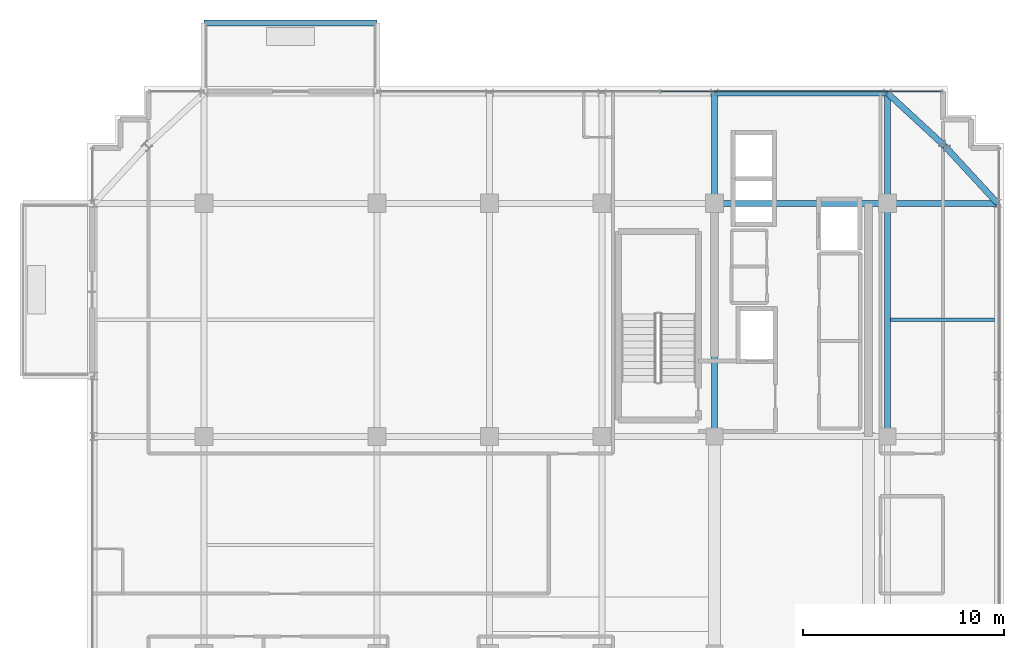
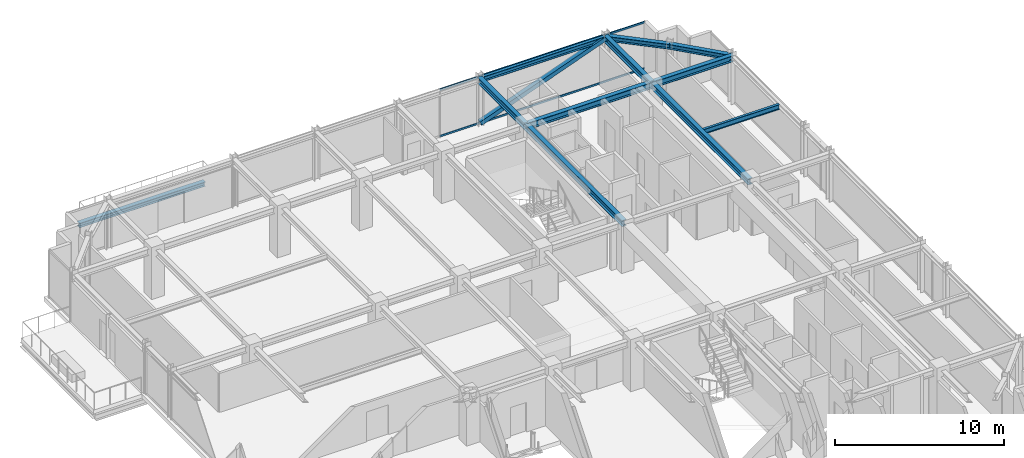
# One storey, part 24 of 34: 11 beams, 3 members, 1 element without a shape of its own.
"""IFC4 building model written with IfcOpenShell, lengths in metres."""

from ifc_helpers import new_model, si_unit, direction, frame, origin, origin_2d, place, context, subcontext, project, spatial, hollow_rectangle, i_section, extrude, source, transform, mapped, material, material_profile, profile_set, type_object, element, aggregate, save


model = new_model("IFC4")

# Units and contexts
model_context = context("Model", 3, precision=1e-05, world=origin(), true_north=direction((0.0, 1.0)))
body_context = subcontext(model_context, "Body", "Model", "MODEL_VIEW")
ifc_project = project(units=[si_unit("LENGTHUNIT", "METRE"), si_unit("AREAUNIT", "SQUARE_METRE"), si_unit("VOLUMEUNIT", "CUBIC_METRE"), si_unit("PLANEANGLEUNIT", "RADIAN"), si_unit("MASSUNIT", "GRAM", prefix="KILO")], contexts=[model_context])

# Site, building, storey
site_placement = place(None, origin())
site = spatial("IfcSite", under=ifc_project, at=site_placement, CompositionType="ELEMENT")
building_placement = place(site_placement, origin())
building = spatial("IfcBuilding", under=site, at=building_placement, Name="Nahalor Promenade Grand Hotel", CompositionType="ELEMENT")
storey_placement = place(building_placement, frame((0.0, 0.0, 334.75)))
storey = spatial("IfcBuildingStorey", under=building, at=storey_placement, Name="L86", CompositionType="ELEMENT", Elevation=334.75)

# Beams
ifc_material_1 = material(Name="Steel S355JR", Category="steel")
ifc_material_profile_1 = material_profile(ifc_material_1, i_section(OverallWidth=0.3, OverallDepth=0.32, WebThickness=0.0115, FlangeThickness=0.0205, at=origin_2d()), Name="HEB 320")
ifc_profile_set_1 = profile_set([ifc_material_profile_1], Name="Steel S355JR")
beam_type_1 = type_object("IfcBeamType", Name="Beam-BalcEdge-HEB320", PredefinedType="SPANDREL", material=ifc_profile_set_1)
shared_shape_1 = source(origin(), body_context, "Body", "SweptSolid", [
    extrude(i_section(OverallWidth=0.3, OverallDepth=0.32, WebThickness=0.0115, FlangeThickness=0.0205, at=origin_2d()), origin(), (0.0, 0.0, 1.0), 8.60009765625),
])
beam_1_placement = place(storey_placement, frame((-17.0, 25.969970703125, -0.43994140625), z_axis=(1.0, 0.0, 0.0), x_axis=(0.0, 1.0, 0.0)))
element("IfcBeam", 1, at=beam_1_placement, inside=storey, type_object=beam_type_1, Name="BM-L86-BC-01-F", PredefinedType="SPANDREL", context=body_context, shape_type="MappedRepresentation", body=[
    mapped(shared_shape_1, transform((0.0, 0.0, 0.0), scale=1.0)),
])
ifc_material_profile_2 = material_profile(ifc_material_1, i_section(OverallWidth=0.3, OverallDepth=0.45, WebThickness=0.014, FlangeThickness=0.026, at=origin_2d()), Name="HEB 450")
ifc_profile_set_2 = profile_set([ifc_material_profile_2], Name="Steel S355JR")
beam_type_2 = type_object("IfcBeamType", Name="Beam-Girder-HEB450", PredefinedType="BEAM", material=ifc_profile_set_2)
shared_shape_2 = source(origin(), body_context, "Body", "SweptSolid", [
    extrude(i_section(OverallWidth=0.3, OverallDepth=0.45, WebThickness=0.014, FlangeThickness=0.026, at=origin_2d()), origin(), (0.0, 0.0, 1.0), 8.60009765625),
])
beam_2_placement = place(storey_placement, frame((8.39990234375, 17.0, 3.2451171875), z_axis=(1.0, 0.0, 0.0), x_axis=(0.0, 1.0, 0.0)))
element("IfcBeam", 2, at=beam_2_placement, inside=storey, type_object=beam_type_2, Name="BM-L86-GX-3-5", PredefinedType="BEAM", context=body_context, shape_type="MappedRepresentation", body=[
    mapped(shared_shape_2, transform((0.0, 0.0, 0.0), scale=1.0)),
])
shared_shape_3 = source(origin(), body_context, "Body", "SweptSolid", [
    extrude(i_section(OverallWidth=0.3, OverallDepth=0.45, WebThickness=0.014, FlangeThickness=0.026, at=origin_2d()), origin(), (0.0, 0.0, 1.0), 11.60009765625),
])
for number, where, z_axis, x_axis, name in (
    (3, (8.39990234375, 5.39990234375, 3.2451171875), (0.0, 1.0, 0.0), (-1.0, 0.0, 0.0), "BM-L86-GY-4-3"),
    (4, (17.0, 5.39990234375, 3.2451171875), (0.0, 1.0, 0.0), (-1.0, 0.0, 0.0), "BM-L86-GY-5-3"),
):
    element("IfcBeam", number, at=place(storey_placement, frame(where, z_axis=z_axis, x_axis=x_axis)), inside=storey, type_object=beam_type_2, Name=name, PredefinedType="BEAM", context=body_context, shape_type="MappedRepresentation", body=[
        mapped(shared_shape_3, transform((0.0, 0.0, 0.0), scale=1.0)),
    ])
shared_shape_4 = source(origin(), body_context, "Body", "SweptSolid", [
    extrude(i_section(OverallWidth=0.3, OverallDepth=0.45, WebThickness=0.014, FlangeThickness=0.026, at=origin_2d()), origin(), (0.0, 0.0, 1.0), 5.47998046875),
])
for number, where, z_axis, x_axis, name in (
    (5, (17.0, 17.0, 3.2451171875), (1.0, 0.0, 0.0), (0.0, 1.0, 0.0), "BM-L86-GX-3-6"),
    (6, (8.39990234375, 17.0, 3.2451171875), (0.0, 1.0, 0.0), (-1.0, 0.0, 0.0), "BM-L86-GY-4-4"),
    (7, (17.0, 17.0, 3.2451171875), (0.0, 1.0, 0.0), (-1.0, 0.0, 0.0), "BM-L86-GY-5-4"),
):
    element("IfcBeam", number, at=place(storey_placement, frame(where, z_axis=z_axis, x_axis=x_axis)), inside=storey, type_object=beam_type_2, Name=name, PredefinedType="BEAM", context=body_context, shape_type="MappedRepresentation", body=[
        mapped(shared_shape_4, transform((0.0, 0.0, 0.0), scale=1.0)),
    ])
ifc_material_profile_3 = material_profile(ifc_material_1, i_section(OverallWidth=0.3, OverallDepth=0.36, WebThickness=0.0125, FlangeThickness=0.0225, at=origin_2d()), Name="HEB 360")
ifc_profile_set_3 = profile_set([ifc_material_profile_3], Name="Steel S355JR")
beam_type_3 = type_object("IfcBeamType", Name="Beam-Spandrel-HEB360", PredefinedType="SPANDREL", material=ifc_profile_set_3)
shared_shape_5 = source(origin(), body_context, "Body", "SweptSolid", [
    extrude(i_section(OverallWidth=0.3, OverallDepth=0.36, WebThickness=0.0125, FlangeThickness=0.0225, at=origin_2d()), origin(), (0.0, 0.0, 1.0), 8.60009765625),
])
beam_3_placement = place(storey_placement, frame((8.39990234375, 22.47998046875, 3.2900390625), z_axis=(1.0, 0.0, 0.0), x_axis=(0.0, 1.0, 0.0)))
element("IfcBeam", 8, at=beam_3_placement, inside=storey, type_object=beam_type_3, Name="BM-L86-SP-N-4", PredefinedType="SPANDREL", context=body_context, shape_type="MappedRepresentation", body=[
    mapped(shared_shape_5, transform((0.0, 0.0, 0.0), scale=1.0)),
])
shared_shape_6 = source(origin(), body_context, "Body", "SweptSolid", [
    extrude(i_section(OverallWidth=0.3, OverallDepth=0.36, WebThickness=0.0125, FlangeThickness=0.0225, at=origin_2d()), origin(), (0.0, 0.0, 1.0), 3.878173828125),
])
for number, where, z_axis, x_axis, name in (
    (9, (17.0, 22.47998046875, 3.2900390625), (0.73492893846, -0.678144125843, 0.0), (0.678144125843, 0.73492893846, 0.0), "BM-L86-SPC-NE-1"),
    (10, (19.85009765625, 19.85009765625, 3.2900390625), (0.678144125843, -0.73492893846, 0.0), (0.73492893846, 0.678144125843, 0.0), "BM-L86-SPC-NE-2"),
):
    element("IfcBeam", number, at=place(storey_placement, frame(where, z_axis=z_axis, x_axis=x_axis)), inside=storey, type_object=beam_type_3, Name=name, PredefinedType="SPANDREL", context=body_context, shape_type="MappedRepresentation", body=[
        mapped(shared_shape_6, transform((0.0, 0.0, 0.0), scale=1.0)),
    ])
ifc_material_profile_4 = material_profile(ifc_material_1, i_section(OverallWidth=0.17, OverallDepth=0.36, WebThickness=0.008, FlangeThickness=0.0127, at=origin_2d()), Name="IPE 360")
ifc_profile_set_4 = profile_set([ifc_material_profile_4], Name="Steel S355JR")
beam_type_4 = type_object("IfcBeamType", Name="Beam-Joist-IPE360", PredefinedType="JOIST", material=ifc_profile_set_4)
shared_shape_7 = source(origin(), body_context, "Body", "SweptSolid", [
    extrude(i_section(OverallWidth=0.17, OverallDepth=0.36, WebThickness=0.008, FlangeThickness=0.0127, at=origin_2d()), origin(), (0.0, 0.0, 1.0), 5.18017578125),
])
beam_4_placement = place(storey_placement, frame((17.14990234375, 11.199951171875, 3.2900390625), z_axis=(1.0, 0.0, 0.0), x_axis=(0.0, 1.0, 0.0)))
element("IfcBeam", 11, at=beam_4_placement, inside=storey, type_object=beam_type_4, Name="BM-L86-JSE-1-2", PredefinedType="JOIST", context=body_context, shape_type="MappedRepresentation", body=[
    mapped(shared_shape_7, transform((0.0, 0.0, 0.0), scale=1.0)),
])

# Member
ifc_material_profile_5 = material_profile(ifc_material_1, hollow_rectangle(XDim=0.3, YDim=0.3, WallThickness=0.016, at=origin_2d()), Name="SHS 300x300x16")
ifc_profile_set_5 = profile_set([ifc_material_profile_5], Name="Steel S355JR")
member_type_1 = type_object("IfcMemberType", Name="Mem-CrownBrace-SHS300", PredefinedType="BRACE", material=ifc_profile_set_5)
shared_shape_8 = source(origin(), body_context, "Body", "SweptSolid", [
    extrude(hollow_rectangle(XDim=0.3, YDim=0.3, WallThickness=0.016, at=origin_2d()), origin(), (0.0, 0.0, 1.0), 9.165771484375),
])
member_1_placement = place(storey_placement, frame((8.39990234375, 22.47998046875, 0.14990234375), z_axis=(0.93828261906, 0.0, 0.345869522753), x_axis=(0.0, 1.0, 0.0)))
element("IfcMember", 12, at=member_1_placement, inside=storey, type_object=member_type_1, Name="EXO-L86-N-1", PredefinedType="BRACE", context=body_context, shape_type="MappedRepresentation", body=[
    mapped(shared_shape_8, transform((0.0, 0.0, 0.0), scale=1.0)),
])

# Curtain wall, members
ifc_material_2 = material(Name="Anodised Bronze Aluminium EN AW-6063 T6", Category="aluminium")
curtain_wall_type = type_object("IfcCurtainWallType", Name="CW2 Typical Hotel Flush Bronze Unitised Curtain Wall", PredefinedType="USERDEFINED", material=ifc_material_2)
curtain_wall_placement = place(storey_placement, origin())
curtain_wall = element("IfcCurtainWall", 13, at=curtain_wall_placement, inside=storey, type_object=curtain_wall_type, Name="L86 Curtain Wall CW-L86-N-3", ObjectType="UNITISED_CURTAIN_WALL", PredefinedType="USERDEFINED")
ifc_material_profile_6 = material_profile(ifc_material_2, hollow_rectangle(XDim=0.065, YDim=0.13, WallThickness=0.004, at=origin_2d()), Name="CWT 65x130x4")
ifc_profile_set_6 = profile_set([ifc_material_profile_6], Name="Anodised Bronze Aluminium EN AW-6063 T6")
member_type_2 = type_object("IfcMemberType", Name="CWT2 Typical Bronze Transom 65x130", PredefinedType="USERDEFINED", material=ifc_profile_set_6)
shared_shape_9 = source(origin(), body_context, "Body", "SweptSolid", [
    extrude(hollow_rectangle(XDim=0.065, YDim=0.13, WallThickness=0.004, at=origin_2d()), origin(), (0.0, 0.0, 1.0), 13.982666015625),
])
member_2_placement = place(storey_placement, frame((5.71240234375, 22.56005859375, 0.06494140625), z_axis=(1.0, 0.0, 0.0), x_axis=(0.0, 1.0, 0.0)))
member_2 = element("IfcMember", 14, at=member_2_placement, type_object=member_type_2, Name="CW-L86-N-3 Transom 1-0", ObjectType="TRANSOM", PredefinedType="USERDEFINED", context=body_context, shape_type="MappedRepresentation", body=[
    mapped(shared_shape_9, transform((0.0, 0.0, 0.0), scale=1.0)),
])
member_3_placement = place(storey_placement, frame((5.71240234375, 22.56005859375, 3.405029296875), z_axis=(1.0, 0.0, 0.0), x_axis=(0.0, 1.0, 0.0)))
member_3 = element("IfcMember", 15, at=member_3_placement, type_object=member_type_2, Name="CW-L86-N-3 Transom 1-1", ObjectType="TRANSOM", PredefinedType="USERDEFINED", context=body_context, shape_type="MappedRepresentation", body=[
    mapped(shared_shape_9, transform((0.0, 0.0, 0.0), scale=1.0)),
])
aggregate(curtain_wall, [member_2, member_3])

save(model, "model.ifc")
